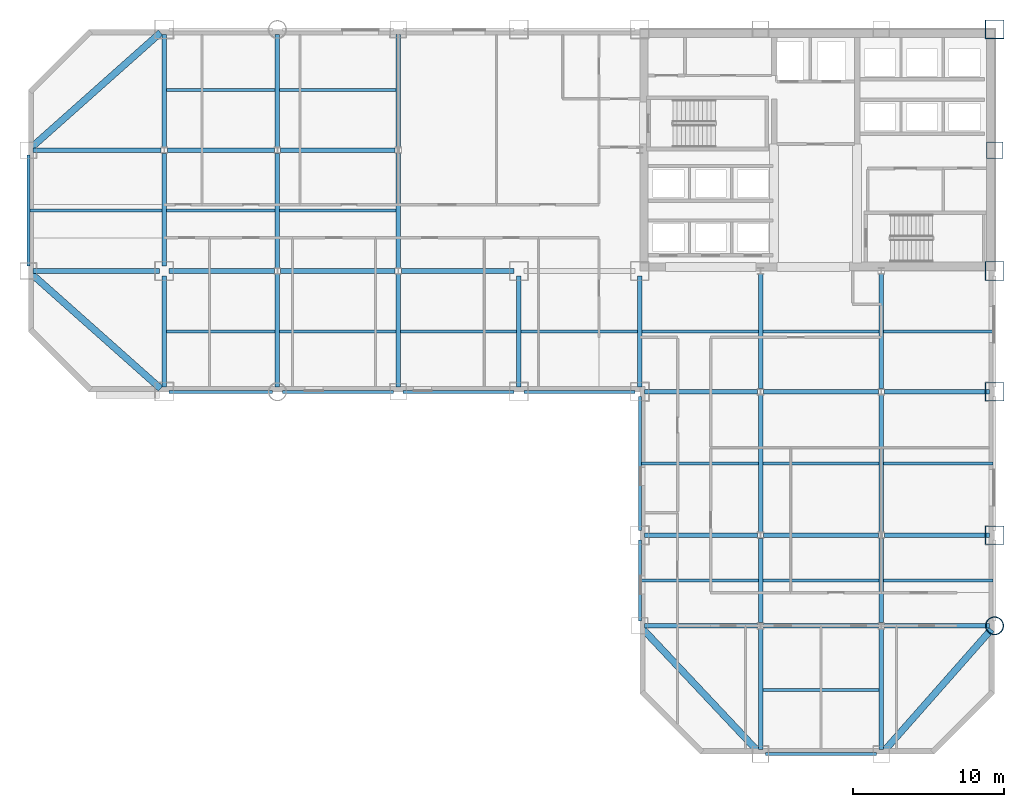
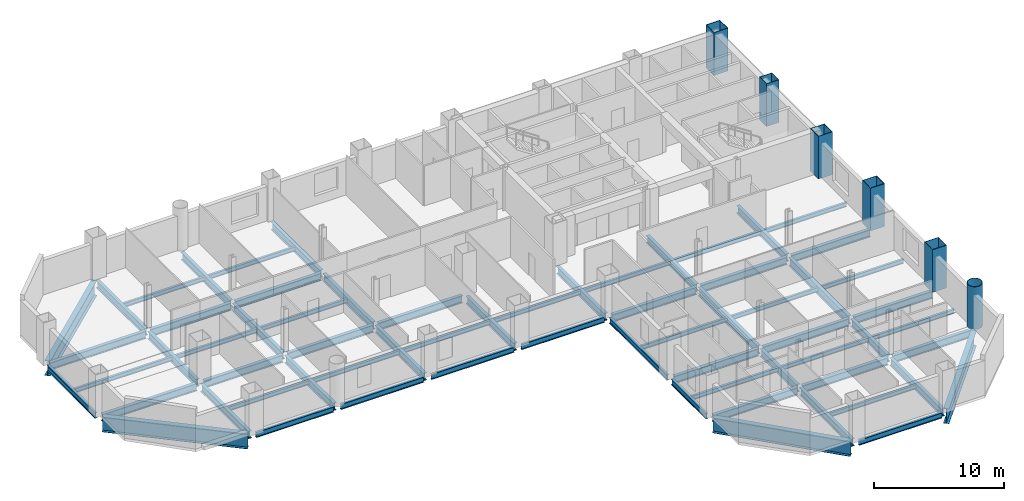
# One storey, part 3 of 9: 66 beams, 6 columns.
"""IFC4 building model written with IfcOpenShell, lengths in metres."""

import ifcopenshell
import ifcopenshell.guid

model = None  # the IFC model being written
_history = None  # IfcOwnerHistory: only IFC2X3 demands one
_inside = {}  # id of a spatial element -> (the spatial element, [elements in it])
_under = {}  # id of a project, library or spatial element -> (it, [spatial elements below it])
_declared = {}  # id of a project -> (the project, [libraries it declares])
_typed = {}  # id of a type object -> (the type object, [elements of that type])
_made_of = {}  # id of a material, layer set ... -> (it, [elements and type objects made of it])


def new_model(schema):
    """Start an empty IFC model of exactly this schema.

    Asked for "IFC4X3", IfcOpenShell would pick the latest addendum, in which some entities
    have other attributes; the version numbers below select the first issue.
    IFC2X3 requires an IfcOwnerHistory on every rooted entity: one is made here for all.
    """
    global model, _history
    if schema == "IFC4X3":
        model = ifcopenshell.file(schema_version=(4, 3, 0, 0))
    else:
        model = ifcopenshell.file(schema=schema)
    _inside.clear()
    _under.clear()
    _declared.clear()
    _typed.clear()
    _made_of.clear()
    _history = None
    if model.schema == "IFC2X3":
        org = make("IfcOrganization", Name="unknown")
        user = make(
            "IfcPersonAndOrganization",
            ThePerson=make("IfcPerson", FamilyName="unknown"),
            TheOrganization=org,
        )
        app = make(
            "IfcApplication",
            ApplicationDeveloper=org,
            Version="unknown",
            ApplicationFullName="unknown",
            ApplicationIdentifier="unknown",
        )
        _history = make(
            "IfcOwnerHistory",
            OwningUser=user,
            OwningApplication=app,
            ChangeAction="ADDED",
            CreationDate=0,
        )
    return model


def make(cls, **values):
    """One entity of the class cls with the attributes given. An attribute that is None is left unset."""
    return model.create_entity(
        cls, **{name: value for name, value in values.items() if value is not None}
    )


def rooted(cls, **values):
    """An entity with a GlobalId (a new one), such as an element, a storey or a relation."""
    return make(cls, GlobalId=ifcopenshell.guid.new(), OwnerHistory=_history, **values)


def si_unit(unit_type, name, prefix=None):
    """IfcSIUnit, for example si_unit("LENGTHUNIT", "METRE", prefix="MILLI")."""
    return make("IfcSIUnit", UnitType=unit_type, Prefix=prefix, Name=name)


def assignment(units):
    """IfcUnitAssignment: the units of a project."""
    return None if units is None else make("IfcUnitAssignment", Units=units)


def point(xyz):
    """IfcCartesianPoint."""
    return None if xyz is None else make("IfcCartesianPoint", Coordinates=xyz)


def direction(xyz):
    """IfcDirection."""
    return None if xyz is None else make("IfcDirection", DirectionRatios=xyz)


def frame(location, z_axis=None, x_axis=None):
    """IfcAxis2Placement3D, a coordinate frame: its origin and axes. An axis left out is left unset."""
    return make(
        "IfcAxis2Placement3D",
        Location=point(location),
        Axis=direction(z_axis),
        RefDirection=direction(x_axis),
    )


def frame_2d(location, x_axis=None):
    """IfcAxis2Placement2D, a coordinate frame in the plane: its origin and x axis."""
    return make(
        "IfcAxis2Placement2D", Location=point(location), RefDirection=direction(x_axis)
    )


def origin():
    """The frame at (0, 0, 0) with its axes left unset."""
    return frame((0.0, 0.0, 0.0))


def origin_2d():
    """The frame at (0, 0) in the plane with its x axis left unset."""
    return frame_2d((0.0, 0.0))


def place(relative_to, where):
    """IfcLocalPlacement: puts the frame where relative to a parent placement (None: the world)."""
    return make(
        "IfcLocalPlacement", PlacementRelTo=relative_to, RelativePlacement=where
    )


def context(
    kind, dimensions, precision=None, world=None, true_north=None, identifier=None
):
    """IfcGeometricRepresentationContext, for example the 3D "Model" context."""
    return make(
        "IfcGeometricRepresentationContext",
        ContextIdentifier=identifier,
        ContextType=kind,
        CoordinateSpaceDimension=dimensions,
        Precision=precision,
        WorldCoordinateSystem=world,
        TrueNorth=true_north,
    )


def subcontext(parent, identifier, kind, view, scale=None):
    """IfcGeometricRepresentationSubContext, for example "Body" below "Model"."""
    return make(
        "IfcGeometricRepresentationSubContext",
        ContextIdentifier=identifier,
        ContextType=kind,
        ParentContext=parent,
        TargetScale=scale,
        TargetView=view,
    )


def project(units=None, contexts=None):
    """IfcProject with its units and contexts."""
    return rooted(
        "IfcProject",
        Name="project",
        RepresentationContexts=contexts,
        UnitsInContext=assignment(units),
    )


def spatial(cls, under=None, at=None, **own):
    """A site, building, storey or space (cls), placed at a placement, below another one or the project."""
    s = rooted(cls, ObjectPlacement=at, **own)
    if under is not None:
        _under.setdefault(under.id(), (under, []))[1].append(s)
    return s


def profile(cls, at=None, kind="AREA", **sizes):
    """A parametric profile (cls). Its sizes go by their IFC names, for example OverallWidth=200.0."""
    return make(cls, ProfileType=kind, Position=at, **sizes)


def hollow_rectangle(**sizes):
    """IfcRectangleHollowProfileDef."""
    return profile("IfcRectangleHollowProfileDef", **sizes)


def hollow_circle(**sizes):
    """IfcCircleHollowProfileDef."""
    return profile("IfcCircleHollowProfileDef", **sizes)


def i_section(**sizes):
    """IfcIShapeProfileDef."""
    return profile("IfcIShapeProfileDef", **sizes)


def extrude(swept, where, along, depth):
    """IfcExtrudedAreaSolid: the profile swept, set in the frame where, extruded along a direction by depth."""
    return make(
        "IfcExtrudedAreaSolid",
        SweptArea=swept,
        Position=where,
        ExtrudedDirection=direction(along),
        Depth=depth,
    )


def shape(context_of_items, identifier, shape_type, items):
    """IfcShapeRepresentation: the items that make up one representation, for example the "Body"."""
    return make(
        "IfcShapeRepresentation",
        ContextOfItems=context_of_items,
        RepresentationIdentifier=identifier,
        RepresentationType=shape_type,
        Items=items,
    )


def material(Name=None, Category=None):
    """IfcMaterial."""
    return make("IfcMaterial", Name=Name, Category=Category)


def material_profile(
    of_material, cross_section, Name=None, Category=None, Priority=None
):
    """IfcMaterialProfile: a cross section and its material."""
    return make(
        "IfcMaterialProfile",
        Name=Name,
        Material=of_material,
        Profile=cross_section,
        Priority=Priority,
        Category=Category,
    )


def profile_set(profiles, Name=None, composite=None):
    """IfcMaterialProfileSet."""
    return make(
        "IfcMaterialProfileSet",
        Name=Name,
        MaterialProfiles=profiles,
        CompositeProfile=composite,
    )


def made_of(thing, what):
    """Note that an element or type object is made of a material, layer set ...; save() writes the relation."""
    if what is not None:
        _made_of.setdefault(what.id(), (what, []))[1].append(thing)
    return thing


def type_object(cls, material=None, **own):
    """A type object (cls), such as IfcWallType, which elements share."""
    return made_of(rooted(cls, **own), material)


def element(
    cls,
    number,
    at=None,
    inside=None,
    cuts=None,
    type_object=None,
    material=None,
    context=None,
    identifier="Body",
    shape_type=None,
    held_by="IfcProductDefinitionShape",
    body=None,
    shapes=None,
    **own,
):
    """One element of the class cls, such as IfcWall. Its Tag is "e" and its number.

    at: its placement. inside: the storey or other place that contains it. cuts: it is an
    opening in that element (IfcRelVoidsElement). A single representation is given by context,
    identifier, shape_type and body (its items); several are given by shapes. held_by: the class
    of the entity that holds the representations. save() writes the other relations.
    """
    e = rooted(cls, Tag="e%d" % number, ObjectPlacement=at, **own)
    if body is not None:
        shapes = [shape(context, identifier, shape_type, body)]
    if shapes is not None:
        e.Representation = make(held_by, Representations=shapes)
    if inside is not None:
        _inside.setdefault(inside.id(), (inside, []))[1].append(e)
    if cuts is not None:
        rooted(
            "IfcRelVoidsElement", RelatingBuildingElement=cuts, RelatedOpeningElement=e
        )
    if type_object is not None:
        _typed.setdefault(type_object.id(), (type_object, []))[1].append(e)
    return made_of(e, material)


def aggregate(whole, parts):
    """IfcRelAggregates: a whole, such as a stair, and the parts it consists of."""
    return rooted("IfcRelAggregates", RelatingObject=whole, RelatedObjects=parts)


def save(model, path):
    """Write the relations noted so far, then the file.

    IfcRelAggregates (storeys below a building ...), IfcRelContainedInSpatialStructure (elements
    in a storey), IfcRelDefinesByType, IfcRelAssociatesMaterial and IfcRelDeclares: one each for
    every whole, place, type object, material and project.
    """
    for whole, parts in _under.values():
        aggregate(whole, parts)
    for where, things in _inside.values():
        rooted(
            "IfcRelContainedInSpatialStructure",
            RelatedElements=things,
            RelatingStructure=where,
        )
    for kind, things in _typed.values():
        rooted("IfcRelDefinesByType", RelatedObjects=things, RelatingType=kind)
    for what, things in _made_of.values():
        rooted("IfcRelAssociatesMaterial", RelatedObjects=things, RelatingMaterial=what)
    for by, libraries in _declared.values():
        rooted("IfcRelDeclares", RelatingContext=by, RelatedDefinitions=libraries)
    model.write(path)


model = new_model("IFC4")

# Units and contexts
model_context = context("Model", 3, precision=1e-05, world=origin(), true_north=direction((0.0, 1.0)))
body_context = subcontext(model_context, "Body", "Model", "MODEL_VIEW")
ifc_project = project(units=[si_unit("LENGTHUNIT", "METRE"), si_unit("AREAUNIT", "SQUARE_METRE"), si_unit("VOLUMEUNIT", "CUBIC_METRE"), si_unit("PLANEANGLEUNIT", "RADIAN"), si_unit("MASSUNIT", "GRAM", prefix="KILO")], contexts=[model_context])

# Site, building, storey
site_placement = place(None, origin())
site = spatial("IfcSite", under=ifc_project, at=site_placement, CompositionType="ELEMENT")
building_placement = place(site_placement, origin())
building = spatial("IfcBuilding", under=site, at=building_placement, Name="Qianrong Seaharbour Tower", CompositionType="ELEMENT")
storey_placement = place(building_placement, frame((0.0, 0.0, 96.199951171875)))
storey = spatial("IfcBuildingStorey", under=building, at=storey_placement, Name="L23", CompositionType="ELEMENT", Elevation=96.199951171875)

# Columns
ifc_material_1 = material(Name="Structural steel SN490B", Category="steel")
ifc_material_profile_1 = material_profile(ifc_material_1, hollow_rectangle(XDim=1.25, YDim=1.25, WallThickness=0.044921875, at=origin_2d()), Name="BOX1250x1250x45")
ifc_profile_set_1 = profile_set([ifc_material_profile_1], Name="Structural steel SN490B")
column_type_1 = type_object("IfcColumnType", Name="COL-CFT-1250", PredefinedType="COLUMN", material=ifc_profile_set_1)
for number, where, z_axis, x_axis, name in (
    (1, (64.0, 18.5, 0.0), (0.0, 0.0, 1.0), (1.0, 0.0, 0.0), "L23 Column MC-2 at G9/GD"),
    (2, (64.0, 28.0, 0.0), (0.0, 0.0, 1.0), (1.0, 0.0, 0.0), "L23 Column MC-2 at G9/GE"),
    (3, (64.0, 36.0, 0.0), (0.0, 0.0, 1.0), (1.0, 0.0, 0.0), "L23 Column MC-2 at G9/GF"),
    (4, (64.0, 52.0, 0.0), (0.0, 0.0, 1.0), (1.0, 0.0, 0.0), "L23 Column MC-2 at G9/GH"),
):
    element("IfcColumn", number, at=place(storey_placement, frame(where, z_axis=z_axis, x_axis=x_axis)), inside=storey, type_object=column_type_1, Name=name, PredefinedType="COLUMN", context=body_context, shape_type="SweptSolid", body=[
        extrude(hollow_rectangle(XDim=1.25, YDim=1.25, WallThickness=0.044921875, at=origin_2d()), origin(), (0.0, 0.0, 1.0), 4.0),
    ])
ifc_material_profile_2 = material_profile(ifc_material_1, hollow_circle(Radius=0.60009765625, WallThickness=0.0400390625, at=origin_2d()), Name="CHS1200x40")
ifc_profile_set_2 = profile_set([ifc_material_profile_2], Name="Structural steel SN490B")
column_type_2 = type_object("IfcColumnType", Name="COL-CHS-1200", PredefinedType="COLUMN", material=ifc_profile_set_2)
column_1_placement = place(storey_placement, frame((64.0, 12.5, 0.0), z_axis=(0.0, 0.0, 1.0), x_axis=(1.0, 0.0, 0.0)))
element("IfcColumn", 5, at=column_1_placement, inside=storey, type_object=column_type_2, Name="L23 Column CC-1 at G9/GC", PredefinedType="COLUMN", context=body_context, shape_type="SweptSolid", body=[
    extrude(hollow_circle(Radius=0.60009765625, WallThickness=0.0400390625, at=origin_2d()), origin(), (0.0, 0.0, 1.0), 4.0),
])
ifc_material_profile_3 = material_profile(ifc_material_1, hollow_rectangle(XDim=1.10009765625, YDim=1.10009765625, WallThickness=0.0400390625, at=origin_2d()), Name="BOX1100x1100x40")
ifc_profile_set_3 = profile_set([ifc_material_profile_3], Name="Structural steel SN490B")
column_type_3 = type_object("IfcColumnType", Name="COL-PER-1100", PredefinedType="COLUMN", material=ifc_profile_set_3)
column_2_placement = place(storey_placement, frame((64.0, 44.0, 0.0), z_axis=(0.0, 0.0, 1.0), x_axis=(1.0, 0.0, 0.0)))
element("IfcColumn", 6, at=column_2_placement, inside=storey, type_object=column_type_3, Name="L23 Column PC-1 at G9/GG", PredefinedType="COLUMN", context=body_context, shape_type="SweptSolid", body=[
    extrude(hollow_rectangle(XDim=1.10009765625, YDim=1.10009765625, WallThickness=0.0400390625, at=origin_2d()), origin(), (0.0, 0.0, 1.0), 4.0),
])

# Beams
ifc_material_profile_4 = material_profile(ifc_material_1, i_section(OverallWidth=0.300048828125, OverallDepth=0.699951171875, WebThickness=0.012939453125, FlangeThickness=0.02392578125, FilletRadius=0.02587890625, at=origin_2d()), Name="H700x300x13x24")
ifc_profile_set_4 = profile_set([ifc_material_profile_4], Name="Structural steel SN490B")
beam_type_1 = type_object("IfcBeamType", Name="BM-G-700", PredefinedType="BEAM", material=ifc_profile_set_4)
beam_1_placement = place(storey_placement, frame((40.820068359375, 12.5, -0.599853515625), z_axis=(1.0, 0.0, 0.0), x_axis=(0.0, 1.0, 0.0)))
element("IfcBeam", 7, at=beam_1_placement, inside=storey, type_object=beam_type_1, Name="L23 Primary Girder GC G6-G7", PredefinedType="BEAM", context=body_context, shape_type="SweptSolid", body=[
    extrude(i_section(OverallWidth=0.300048828125, OverallDepth=0.699951171875, WebThickness=0.012939453125, FlangeThickness=0.02392578125, FilletRadius=0.02587890625, at=origin_2d()), origin(), (0.0, 0.0, 1.0), 7.476318359375),
])
beam_2_placement = place(storey_placement, frame((48.70361328125, 12.5, -0.599853515625), z_axis=(1.0, 0.0, 0.0), x_axis=(0.0, 1.0, 0.0)))
element("IfcBeam", 8, at=beam_2_placement, inside=storey, type_object=beam_type_1, Name="L23 Primary Girder GC G7-G8", PredefinedType="BEAM", context=body_context, shape_type="SweptSolid", body=[
    extrude(i_section(OverallWidth=0.300048828125, OverallDepth=0.699951171875, WebThickness=0.012939453125, FlangeThickness=0.02392578125, FilletRadius=0.02587890625, at=origin_2d()), origin(), (0.0, 0.0, 1.0), 7.5927734375),
])
beam_3_placement = place(storey_placement, frame((56.70361328125, 12.5, -0.599853515625), z_axis=(1.0, 0.0, 0.0), x_axis=(0.0, 1.0, 0.0)))
element("IfcBeam", 9, at=beam_3_placement, inside=storey, type_object=beam_type_1, Name="L23 Primary Girder GC G8-G9", PredefinedType="BEAM", context=body_context, shape_type="SweptSolid", body=[
    extrude(i_section(OverallWidth=0.300048828125, OverallDepth=0.699951171875, WebThickness=0.012939453125, FlangeThickness=0.02392578125, FilletRadius=0.02587890625, at=origin_2d()), origin(), (0.0, 0.0, 1.0), 6.976318359375),
])
beam_4_placement = place(storey_placement, frame((40.820068359375, 18.5, -0.599853515625), z_axis=(1.0, 0.0, 0.0), x_axis=(0.0, 1.0, 0.0)))
element("IfcBeam", 10, at=beam_4_placement, inside=storey, type_object=beam_type_1, Name="L23 Primary Girder GD G6-G7", PredefinedType="BEAM", context=body_context, shape_type="SweptSolid", body=[
    extrude(i_section(OverallWidth=0.300048828125, OverallDepth=0.699951171875, WebThickness=0.012939453125, FlangeThickness=0.02392578125, FilletRadius=0.02587890625, at=origin_2d()), origin(), (0.0, 0.0, 1.0), 7.476318359375),
])
beam_5_placement = place(storey_placement, frame((48.70361328125, 18.5, -0.599853515625), z_axis=(1.0, 0.0, 0.0), x_axis=(0.0, 1.0, 0.0)))
element("IfcBeam", 11, at=beam_5_placement, inside=storey, type_object=beam_type_1, Name="L23 Primary Girder GD G7-G8", PredefinedType="BEAM", context=body_context, shape_type="SweptSolid", body=[
    extrude(i_section(OverallWidth=0.300048828125, OverallDepth=0.699951171875, WebThickness=0.012939453125, FlangeThickness=0.02392578125, FilletRadius=0.02587890625, at=origin_2d()), origin(), (0.0, 0.0, 1.0), 7.5927734375),
])
beam_6_placement = place(storey_placement, frame((56.70361328125, 18.5, -0.599853515625), z_axis=(1.0, 0.0, 0.0), x_axis=(0.0, 1.0, 0.0)))
element("IfcBeam", 12, at=beam_6_placement, inside=storey, type_object=beam_type_1, Name="L23 Primary Girder GD G8-G9", PredefinedType="BEAM", context=body_context, shape_type="SweptSolid", body=[
    extrude(i_section(OverallWidth=0.300048828125, OverallDepth=0.699951171875, WebThickness=0.012939453125, FlangeThickness=0.02392578125, FilletRadius=0.02587890625, at=origin_2d()), origin(), (0.0, 0.0, 1.0), 6.976318359375),
])
beam_7_placement = place(storey_placement, frame((40.820068359375, 28.0, -0.599853515625), z_axis=(1.0, 0.0, 0.0), x_axis=(0.0, 1.0, 0.0)))
element("IfcBeam", 13, at=beam_7_placement, inside=storey, type_object=beam_type_1, Name="L23 Primary Girder GE G6-G7", PredefinedType="BEAM", context=body_context, shape_type="SweptSolid", body=[
    extrude(i_section(OverallWidth=0.300048828125, OverallDepth=0.699951171875, WebThickness=0.012939453125, FlangeThickness=0.02392578125, FilletRadius=0.02587890625, at=origin_2d()), origin(), (0.0, 0.0, 1.0), 7.476318359375),
])
beam_8_placement = place(storey_placement, frame((48.70361328125, 28.0, -0.599853515625), z_axis=(1.0, 0.0, 0.0), x_axis=(0.0, 1.0, 0.0)))
element("IfcBeam", 14, at=beam_8_placement, inside=storey, type_object=beam_type_1, Name="L23 Primary Girder GE G7-G8", PredefinedType="BEAM", context=body_context, shape_type="SweptSolid", body=[
    extrude(i_section(OverallWidth=0.300048828125, OverallDepth=0.699951171875, WebThickness=0.012939453125, FlangeThickness=0.02392578125, FilletRadius=0.02587890625, at=origin_2d()), origin(), (0.0, 0.0, 1.0), 7.5927734375),
])
beam_9_placement = place(storey_placement, frame((56.70361328125, 28.0, -0.599853515625), z_axis=(1.0, 0.0, 0.0), x_axis=(0.0, 1.0, 0.0)))
element("IfcBeam", 15, at=beam_9_placement, inside=storey, type_object=beam_type_1, Name="L23 Primary Girder GE G8-G9", PredefinedType="BEAM", context=body_context, shape_type="SweptSolid", body=[
    extrude(i_section(OverallWidth=0.300048828125, OverallDepth=0.699951171875, WebThickness=0.012939453125, FlangeThickness=0.02392578125, FilletRadius=0.02587890625, at=origin_2d()), origin(), (0.0, 0.0, 1.0), 6.976318359375),
])
beam_10_placement = place(storey_placement, frame((0.320068359375, 36.0, -0.599853515625), z_axis=(1.0, 0.0, 0.0), x_axis=(0.0, 1.0, 0.0)))
element("IfcBeam", 16, at=beam_10_placement, inside=storey, type_object=beam_type_1, Name="L23 Primary Girder GF G1-G2", PredefinedType="BEAM", context=body_context, shape_type="SweptSolid", body=[
    extrude(i_section(OverallWidth=0.300048828125, OverallDepth=0.699951171875, WebThickness=0.012939453125, FlangeThickness=0.02392578125, FilletRadius=0.02587890625, at=origin_2d()), origin(), (0.0, 0.0, 1.0), 8.35986328125),
])
beam_11_placement = place(storey_placement, frame((9.320068359375, 36.0, -0.599853515625), z_axis=(1.0, 0.0, 0.0), x_axis=(0.0, 1.0, 0.0)))
element("IfcBeam", 17, at=beam_11_placement, inside=storey, type_object=beam_type_1, Name="L23 Primary Girder GF G2-G3", PredefinedType="BEAM", context=body_context, shape_type="SweptSolid", body=[
    extrude(i_section(OverallWidth=0.300048828125, OverallDepth=0.699951171875, WebThickness=0.012939453125, FlangeThickness=0.02392578125, FilletRadius=0.02587890625, at=origin_2d()), origin(), (0.0, 0.0, 1.0), 6.976318359375),
])
beam_12_placement = place(storey_placement, frame((16.70361328125, 36.0, -0.599853515625), z_axis=(1.0, 0.0, 0.0), x_axis=(0.0, 1.0, 0.0)))
element("IfcBeam", 18, at=beam_12_placement, inside=storey, type_object=beam_type_1, Name="L23 Primary Girder GF G3-G4", PredefinedType="BEAM", context=body_context, shape_type="SweptSolid", body=[
    extrude(i_section(OverallWidth=0.300048828125, OverallDepth=0.699951171875, WebThickness=0.012939453125, FlangeThickness=0.02392578125, FilletRadius=0.02587890625, at=origin_2d()), origin(), (0.0, 0.0, 1.0), 7.5927734375),
])
beam_13_placement = place(storey_placement, frame((24.70361328125, 36.0, -0.599853515625), z_axis=(1.0, 0.0, 0.0), x_axis=(0.0, 1.0, 0.0)))
element("IfcBeam", 19, at=beam_13_placement, inside=storey, type_object=beam_type_1, Name="L23 Primary Girder GF G4-G5", PredefinedType="BEAM", context=body_context, shape_type="SweptSolid", body=[
    extrude(i_section(OverallWidth=0.300048828125, OverallDepth=0.699951171875, WebThickness=0.012939453125, FlangeThickness=0.02392578125, FilletRadius=0.02587890625, at=origin_2d()), origin(), (0.0, 0.0, 1.0), 7.476318359375),
])
beam_14_placement = place(storey_placement, frame((0.320068359375, 44.0, -0.599853515625), z_axis=(1.0, 0.0, 0.0), x_axis=(0.0, 1.0, 0.0)))
element("IfcBeam", 20, at=beam_14_placement, inside=storey, type_object=beam_type_1, Name="L23 Primary Girder GG G1-G2", PredefinedType="BEAM", context=body_context, shape_type="SweptSolid", body=[
    extrude(i_section(OverallWidth=0.300048828125, OverallDepth=0.699951171875, WebThickness=0.012939453125, FlangeThickness=0.02392578125, FilletRadius=0.02587890625, at=origin_2d()), origin(), (0.0, 0.0, 1.0), 8.476318359375),
])
beam_15_placement = place(storey_placement, frame((9.20361328125, 44.0, -0.599853515625), z_axis=(1.0, 0.0, 0.0), x_axis=(0.0, 1.0, 0.0)))
element("IfcBeam", 21, at=beam_15_placement, inside=storey, type_object=beam_type_1, Name="L23 Primary Girder GG G2-G3", PredefinedType="BEAM", context=body_context, shape_type="SweptSolid", body=[
    extrude(i_section(OverallWidth=0.300048828125, OverallDepth=0.699951171875, WebThickness=0.012939453125, FlangeThickness=0.02392578125, FilletRadius=0.02587890625, at=origin_2d()), origin(), (0.0, 0.0, 1.0), 7.0927734375),
])
beam_16_placement = place(storey_placement, frame((16.70361328125, 44.0, -0.599853515625), z_axis=(1.0, 0.0, 0.0), x_axis=(0.0, 1.0, 0.0)))
element("IfcBeam", 22, at=beam_16_placement, inside=storey, type_object=beam_type_1, Name="L23 Primary Girder GG G3-G4", PredefinedType="BEAM", context=body_context, shape_type="SweptSolid", body=[
    extrude(i_section(OverallWidth=0.300048828125, OverallDepth=0.699951171875, WebThickness=0.012939453125, FlangeThickness=0.02392578125, FilletRadius=0.02587890625, at=origin_2d()), origin(), (0.0, 0.0, 1.0), 7.5927734375),
])
beam_17_placement = place(storey_placement, frame((9.0, 28.320068359375, -0.599853515625), z_axis=(0.0, 1.0, 0.0), x_axis=(-1.0, 0.0, 0.0)))
element("IfcBeam", 23, at=beam_17_placement, inside=storey, type_object=beam_type_1, Name="L23 Primary Girder G2 GE-GF", PredefinedType="BEAM", context=body_context, shape_type="SweptSolid", body=[
    extrude(i_section(OverallWidth=0.300048828125, OverallDepth=0.699951171875, WebThickness=0.012939453125, FlangeThickness=0.02392578125, FilletRadius=0.02587890625, at=origin_2d()), origin(), (0.0, 0.0, 1.0), 7.35986328125),
])
for number, where, z_axis, x_axis, name in (
    (24, (9.0, 36.320068359375, -0.599853515625), (0.0, 1.0, 0.0), (-1.0, 0.0, 0.0), "L23 Primary Girder G2 GF-GG"),
    (25, (9.0, 44.214111328125, -0.599853515625), (0.0, 1.0, 0.0), (-1.0, 0.0, 0.0), "L23 Primary Girder G2 GG-GH"),
    (26, (16.5, 28.320068359375, -0.599853515625), (0.0, 1.0, 0.0), (-1.0, 0.0, 0.0), "L23 Primary Girder G3 GE-GF"),
):
    element("IfcBeam", number, at=place(storey_placement, frame(where, z_axis=z_axis, x_axis=x_axis)), inside=storey, type_object=beam_type_1, Name=name, PredefinedType="BEAM", context=body_context, shape_type="SweptSolid", body=[
        extrude(i_section(OverallWidth=0.300048828125, OverallDepth=0.699951171875, WebThickness=0.012939453125, FlangeThickness=0.02392578125, FilletRadius=0.02587890625, at=origin_2d()), origin(), (0.0, 0.0, 1.0), 7.4658203125),
    ])
beam_18_placement = place(storey_placement, frame((16.5, 36.214111328125, -0.599853515625), z_axis=(0.0, 1.0, 0.0), x_axis=(-1.0, 0.0, 0.0)))
element("IfcBeam", 27, at=beam_18_placement, inside=storey, type_object=beam_type_1, Name="L23 Primary Girder G3 GF-GG", PredefinedType="BEAM", context=body_context, shape_type="SweptSolid", body=[
    extrude(i_section(OverallWidth=0.300048828125, OverallDepth=0.699951171875, WebThickness=0.012939453125, FlangeThickness=0.02392578125, FilletRadius=0.02587890625, at=origin_2d()), origin(), (0.0, 0.0, 1.0), 7.57177734375),
])
for number, where, z_axis, x_axis, name in (
    (28, (16.5, 44.214111328125, -0.599853515625), (0.0, 1.0, 0.0), (-1.0, 0.0, 0.0), "L23 Primary Girder G3 GG-GH"),
    (29, (24.5, 28.320068359375, -0.599853515625), (0.0, 1.0, 0.0), (-1.0, 0.0, 0.0), "L23 Primary Girder G4 GE-GF"),
):
    element("IfcBeam", number, at=place(storey_placement, frame(where, z_axis=z_axis, x_axis=x_axis)), inside=storey, type_object=beam_type_1, Name=name, PredefinedType="BEAM", context=body_context, shape_type="SweptSolid", body=[
        extrude(i_section(OverallWidth=0.300048828125, OverallDepth=0.699951171875, WebThickness=0.012939453125, FlangeThickness=0.02392578125, FilletRadius=0.02587890625, at=origin_2d()), origin(), (0.0, 0.0, 1.0), 7.4658203125),
    ])
beam_19_placement = place(storey_placement, frame((24.5, 36.214111328125, -0.599853515625), z_axis=(0.0, 1.0, 0.0), x_axis=(-1.0, 0.0, 0.0)))
element("IfcBeam", 30, at=beam_19_placement, inside=storey, type_object=beam_type_1, Name="L23 Primary Girder G4 GF-GG", PredefinedType="BEAM", context=body_context, shape_type="SweptSolid", body=[
    extrude(i_section(OverallWidth=0.300048828125, OverallDepth=0.699951171875, WebThickness=0.012939453125, FlangeThickness=0.02392578125, FilletRadius=0.02587890625, at=origin_2d()), origin(), (0.0, 0.0, 1.0), 7.57177734375),
])
beam_20_placement = place(storey_placement, frame((24.5, 44.214111328125, -0.599853515625), z_axis=(0.0, 1.0, 0.0), x_axis=(-1.0, 0.0, 0.0)))
element("IfcBeam", 31, at=beam_20_placement, inside=storey, type_object=beam_type_1, Name="L23 Primary Girder G4 GG-GH", PredefinedType="BEAM", context=body_context, shape_type="SweptSolid", body=[
    extrude(i_section(OverallWidth=0.300048828125, OverallDepth=0.699951171875, WebThickness=0.012939453125, FlangeThickness=0.02392578125, FilletRadius=0.02587890625, at=origin_2d()), origin(), (0.0, 0.0, 1.0), 7.4658203125),
])
for number, where, z_axis, x_axis, name in (
    (32, (32.5, 28.320068359375, -0.599853515625), (0.0, 1.0, 0.0), (-1.0, 0.0, 0.0), "L23 Primary Girder G5 GE-GF"),
    (33, (40.5, 28.320068359375, -0.599853515625), (0.0, 1.0, 0.0), (-1.0, 0.0, 0.0), "L23 Primary Girder G6 GE-GF"),
):
    element("IfcBeam", number, at=place(storey_placement, frame(where, z_axis=z_axis, x_axis=x_axis)), inside=storey, type_object=beam_type_1, Name=name, PredefinedType="BEAM", context=body_context, shape_type="SweptSolid", body=[
        extrude(i_section(OverallWidth=0.300048828125, OverallDepth=0.699951171875, WebThickness=0.012939453125, FlangeThickness=0.02392578125, FilletRadius=0.02587890625, at=origin_2d()), origin(), (0.0, 0.0, 1.0), 7.35986328125),
    ])
beam_21_placement = place(storey_placement, frame((48.5, 4.320068359375, -0.599853515625), z_axis=(0.0, 1.0, 0.0), x_axis=(-1.0, 0.0, 0.0)))
element("IfcBeam", 34, at=beam_21_placement, inside=storey, type_object=beam_type_1, Name="L23 Primary Girder G7 GB-GC", PredefinedType="BEAM", context=body_context, shape_type="SweptSolid", body=[
    extrude(i_section(OverallWidth=0.300048828125, OverallDepth=0.699951171875, WebThickness=0.012939453125, FlangeThickness=0.02392578125, FilletRadius=0.02587890625, at=origin_2d()), origin(), (0.0, 0.0, 1.0), 7.9658203125),
])
beam_22_placement = place(storey_placement, frame((48.5, 12.714111328125, -0.599853515625), z_axis=(0.0, 1.0, 0.0), x_axis=(-1.0, 0.0, 0.0)))
element("IfcBeam", 35, at=beam_22_placement, inside=storey, type_object=beam_type_1, Name="L23 Primary Girder G7 GC-GD", PredefinedType="BEAM", context=body_context, shape_type="SweptSolid", body=[
    extrude(i_section(OverallWidth=0.300048828125, OverallDepth=0.699951171875, WebThickness=0.012939453125, FlangeThickness=0.02392578125, FilletRadius=0.02587890625, at=origin_2d()), origin(), (0.0, 0.0, 1.0), 5.57177734375),
])
beam_23_placement = place(storey_placement, frame((48.5, 28.214111328125, -0.599853515625), z_axis=(0.0, 1.0, 0.0), x_axis=(-1.0, 0.0, 0.0)))
element("IfcBeam", 36, at=beam_23_placement, inside=storey, type_object=beam_type_1, Name="L23 Primary Girder G7 GE-GF", PredefinedType="BEAM", context=body_context, shape_type="SweptSolid", body=[
    extrude(i_section(OverallWidth=0.300048828125, OverallDepth=0.699951171875, WebThickness=0.012939453125, FlangeThickness=0.02392578125, FilletRadius=0.02587890625, at=origin_2d()), origin(), (0.0, 0.0, 1.0), 7.57177734375),
])
beam_24_placement = place(storey_placement, frame((56.5, 4.320068359375, -0.599853515625), z_axis=(0.0, 1.0, 0.0), x_axis=(-1.0, 0.0, 0.0)))
element("IfcBeam", 37, at=beam_24_placement, inside=storey, type_object=beam_type_1, Name="L23 Primary Girder G8 GB-GC", PredefinedType="BEAM", context=body_context, shape_type="SweptSolid", body=[
    extrude(i_section(OverallWidth=0.300048828125, OverallDepth=0.699951171875, WebThickness=0.012939453125, FlangeThickness=0.02392578125, FilletRadius=0.02587890625, at=origin_2d()), origin(), (0.0, 0.0, 1.0), 7.9658203125),
])
beam_25_placement = place(storey_placement, frame((56.5, 12.714111328125, -0.599853515625), z_axis=(0.0, 1.0, 0.0), x_axis=(-1.0, 0.0, 0.0)))
element("IfcBeam", 38, at=beam_25_placement, inside=storey, type_object=beam_type_1, Name="L23 Primary Girder G8 GC-GD", PredefinedType="BEAM", context=body_context, shape_type="SweptSolid", body=[
    extrude(i_section(OverallWidth=0.300048828125, OverallDepth=0.699951171875, WebThickness=0.012939453125, FlangeThickness=0.02392578125, FilletRadius=0.02587890625, at=origin_2d()), origin(), (0.0, 0.0, 1.0), 5.57177734375),
])
beam_26_placement = place(storey_placement, frame((56.5, 28.214111328125, -0.599853515625), z_axis=(0.0, 1.0, 0.0), x_axis=(-1.0, 0.0, 0.0)))
element("IfcBeam", 39, at=beam_26_placement, inside=storey, type_object=beam_type_1, Name="L23 Primary Girder G8 GE-GF", PredefinedType="BEAM", context=body_context, shape_type="SweptSolid", body=[
    extrude(i_section(OverallWidth=0.300048828125, OverallDepth=0.699951171875, WebThickness=0.012939453125, FlangeThickness=0.02392578125, FilletRadius=0.02587890625, at=origin_2d()), origin(), (0.0, 0.0, 1.0), 7.57177734375),
])
ifc_material_profile_5 = material_profile(ifc_material_1, i_section(OverallWidth=0.300048828125, OverallDepth=0.800048828125, WebThickness=0.013916015625, FlangeThickness=0.02587890625, FilletRadius=0.028076171875, at=origin_2d()), Name="H800x300x14x26")
ifc_profile_set_5 = profile_set([ifc_material_profile_5], Name="Structural steel SN490B")
beam_type_2 = type_object("IfcBeamType", Name="BM-G-800", PredefinedType="BEAM", material=ifc_profile_set_5)
for number, where, z_axis, x_axis, name in (
    (40, (48.5, 18.714111328125, -0.64990234375), (0.0, 1.0, 0.0), (-1.0, 0.0, 0.0), "L23 Primary Girder G7 GD-GE"),
    (41, (56.5, 18.714111328125, -0.64990234375), (0.0, 1.0, 0.0), (-1.0, 0.0, 0.0), "L23 Primary Girder G8 GD-GE"),
):
    element("IfcBeam", number, at=place(storey_placement, frame(where, z_axis=z_axis, x_axis=x_axis)), inside=storey, type_object=beam_type_2, Name=name, PredefinedType="BEAM", context=body_context, shape_type="SweptSolid", body=[
        extrude(i_section(OverallWidth=0.300048828125, OverallDepth=0.800048828125, WebThickness=0.013916015625, FlangeThickness=0.02587890625, FilletRadius=0.028076171875, at=origin_2d()), origin(), (0.0, 0.0, 1.0), 9.07177734375),
    ])
ifc_material_2 = material(Name="Structural steel SN400B", Category="steel")
ifc_material_profile_6 = material_profile(ifc_material_2, i_section(OverallWidth=0.199951171875, OverallDepth=0.39990234375, WebThickness=0.008056640625, FlangeThickness=0.012939453125, FilletRadius=0.01611328125, at=origin_2d()), Name="H400x200x8x13")
ifc_profile_set_6 = profile_set([ifc_material_profile_6], Name="Structural steel SN400B")
beam_type_3 = type_object("IfcBeamType", Name="BM-J-400", PredefinedType="JOIST", material=ifc_profile_set_6)
beam_27_placement = place(storey_placement, frame((0.10009765625, 40.0, -0.449951171875), z_axis=(1.0, 0.0, 0.0), x_axis=(0.0, 1.0, 0.0)))
element("IfcBeam", 42, at=beam_27_placement, inside=storey, type_object=beam_type_3, Name="L23 Composite Floor Joist G1-G2/GF-GG", PredefinedType="JOIST", context=body_context, shape_type="SweptSolid", body=[
    extrude(i_section(OverallWidth=0.199951171875, OverallDepth=0.39990234375, WebThickness=0.008056640625, FlangeThickness=0.012939453125, FilletRadius=0.01611328125, at=origin_2d()), origin(), (0.0, 0.0, 1.0), 8.75),
])
for number, where, z_axis, x_axis, name in (
    (43, (9.14990234375, 32.0, -0.449951171875), (1.0, 0.0, 0.0), (0.0, 1.0, 0.0), "L23 Composite Floor Joist G2-G3/GE-GF"),
    (44, (9.14990234375, 40.0, -0.449951171875), (1.0, 0.0, 0.0), (0.0, 1.0, 0.0), "L23 Composite Floor Joist G2-G3/GF-GG"),
    (45, (9.14990234375, 48.0, -0.449951171875), (1.0, 0.0, 0.0), (0.0, 1.0, 0.0), "L23 Composite Floor Joist G2-G3/GG-GH"),
):
    element("IfcBeam", number, at=place(storey_placement, frame(where, z_axis=z_axis, x_axis=x_axis)), inside=storey, type_object=beam_type_3, Name=name, PredefinedType="JOIST", context=body_context, shape_type="SweptSolid", body=[
        extrude(i_section(OverallWidth=0.199951171875, OverallDepth=0.39990234375, WebThickness=0.008056640625, FlangeThickness=0.012939453125, FilletRadius=0.01611328125, at=origin_2d()), origin(), (0.0, 0.0, 1.0), 7.2001953125),
    ])
for number, where, z_axis, x_axis, name in (
    (46, (16.64990234375, 32.0, -0.449951171875), (1.0, 0.0, 0.0), (0.0, 1.0, 0.0), "L23 Composite Floor Joist G3-G4/GE-GF"),
    (47, (16.64990234375, 40.0, -0.449951171875), (1.0, 0.0, 0.0), (0.0, 1.0, 0.0), "L23 Composite Floor Joist G3-G4/GF-GG"),
    (48, (16.64990234375, 48.0, -0.449951171875), (1.0, 0.0, 0.0), (0.0, 1.0, 0.0), "L23 Composite Floor Joist G3-G4/GG-GH"),
    (49, (24.64990234375, 32.0, -0.449951171875), (1.0, 0.0, 0.0), (0.0, 1.0, 0.0), "L23 Composite Floor Joist G4-G5/GE-GF"),
    (50, (32.64990234375, 32.0, -0.449951171875), (1.0, 0.0, 0.0), (0.0, 1.0, 0.0), "L23 Composite Floor Joist G5-G6/GE-GF"),
):
    element("IfcBeam", number, at=place(storey_placement, frame(where, z_axis=z_axis, x_axis=x_axis)), inside=storey, type_object=beam_type_3, Name=name, PredefinedType="JOIST", context=body_context, shape_type="SweptSolid", body=[
        extrude(i_section(OverallWidth=0.199951171875, OverallDepth=0.39990234375, WebThickness=0.008056640625, FlangeThickness=0.012939453125, FilletRadius=0.01611328125, at=origin_2d()), origin(), (0.0, 0.0, 1.0), 7.7001953125),
    ])
for number, where, z_axis, x_axis, name in (
    (51, (40.60009765625, 15.5, -0.449951171875), (1.0, 0.0, 0.0), (0.0, 1.0, 0.0), "L23 Composite Floor Joist G6-G7/GC-GD"),
    (52, (40.60009765625, 23.25, -0.449951171875), (1.0, 0.0, 0.0), (0.0, 1.0, 0.0), "L23 Composite Floor Joist G6-G7/GD-GE"),
):
    element("IfcBeam", number, at=place(storey_placement, frame(where, z_axis=z_axis, x_axis=x_axis)), inside=storey, type_object=beam_type_3, Name=name, PredefinedType="JOIST", context=body_context, shape_type="SweptSolid", body=[
        extrude(i_section(OverallWidth=0.199951171875, OverallDepth=0.39990234375, WebThickness=0.008056640625, FlangeThickness=0.012939453125, FilletRadius=0.01611328125, at=origin_2d()), origin(), (0.0, 0.0, 1.0), 7.75),
    ])
for number, where, z_axis, x_axis, name in (
    (53, (40.64990234375, 32.0, -0.449951171875), (1.0, 0.0, 0.0), (0.0, 1.0, 0.0), "L23 Composite Floor Joist G6-G7/GE-GF"),
    (54, (48.64990234375, 8.25, -0.449951171875), (1.0, 0.0, 0.0), (0.0, 1.0, 0.0), "L23 Composite Floor Joist G7-G8/GB-GC"),
    (55, (48.64990234375, 15.5, -0.449951171875), (1.0, 0.0, 0.0), (0.0, 1.0, 0.0), "L23 Composite Floor Joist G7-G8/GC-GD"),
    (56, (48.64990234375, 23.25, -0.449951171875), (1.0, 0.0, 0.0), (0.0, 1.0, 0.0), "L23 Composite Floor Joist G7-G8/GD-GE"),
    (57, (48.64990234375, 32.0, -0.449951171875), (1.0, 0.0, 0.0), (0.0, 1.0, 0.0), "L23 Composite Floor Joist G7-G8/GE-GF"),
):
    element("IfcBeam", number, at=place(storey_placement, frame(where, z_axis=z_axis, x_axis=x_axis)), inside=storey, type_object=beam_type_3, Name=name, PredefinedType="JOIST", context=body_context, shape_type="SweptSolid", body=[
        extrude(i_section(OverallWidth=0.199951171875, OverallDepth=0.39990234375, WebThickness=0.008056640625, FlangeThickness=0.012939453125, FilletRadius=0.01611328125, at=origin_2d()), origin(), (0.0, 0.0, 1.0), 7.7001953125),
    ])
for number, where, z_axis, x_axis, name in (
    (58, (56.64990234375, 15.5, -0.449951171875), (1.0, 0.0, 0.0), (0.0, 1.0, 0.0), "L23 Composite Floor Joist G8-G9/GC-GD"),
    (59, (56.64990234375, 23.25, -0.449951171875), (1.0, 0.0, 0.0), (0.0, 1.0, 0.0), "L23 Composite Floor Joist G8-G9/GD-GE"),
    (60, (56.64990234375, 32.0, -0.449951171875), (1.0, 0.0, 0.0), (0.0, 1.0, 0.0), "L23 Composite Floor Joist G8-G9/GE-GF"),
):
    element("IfcBeam", number, at=place(storey_placement, frame(where, z_axis=z_axis, x_axis=x_axis)), inside=storey, type_object=beam_type_3, Name=name, PredefinedType="JOIST", context=body_context, shape_type="SweptSolid", body=[
        extrude(i_section(OverallWidth=0.199951171875, OverallDepth=0.39990234375, WebThickness=0.008056640625, FlangeThickness=0.012939453125, FilletRadius=0.01611328125, at=origin_2d()), origin(), (0.0, 0.0, 1.0), 7.25),
    ])
ifc_material_profile_7 = material_profile(ifc_material_1, i_section(OverallWidth=0.199951171875, OverallDepth=0.5, WebThickness=0.010009765625, FlangeThickness=0.01611328125, FilletRadius=0.02001953125, at=origin_2d()), Name="H500x200x10x16")
ifc_profile_set_7 = profile_set([ifc_material_profile_7], Name="Structural steel SN490B")
beam_type_4 = type_object("IfcBeamType", Name="BM-SP-500", PredefinedType="SPANDREL", material=ifc_profile_set_7)
beam_28_placement = place(storey_placement, frame((48.820068359375, 4.0, -0.5), z_axis=(1.0, 0.0, 0.0), x_axis=(0.0, 1.0, 0.0)))
element("IfcBeam", 61, at=beam_28_placement, inside=storey, type_object=beam_type_4, Name="L23 Spandrel Girder GB G7-G8", PredefinedType="SPANDREL", context=body_context, shape_type="SweptSolid", body=[
    extrude(i_section(OverallWidth=0.199951171875, OverallDepth=0.5, WebThickness=0.010009765625, FlangeThickness=0.01611328125, FilletRadius=0.02001953125, at=origin_2d()), origin(), (0.0, 0.0, 1.0), 7.35986328125),
])
beam_29_placement = place(storey_placement, frame((9.320068359375, 28.0, -0.5), z_axis=(1.0, 0.0, 0.0), x_axis=(0.0, 1.0, 0.0)))
element("IfcBeam", 62, at=beam_29_placement, inside=storey, type_object=beam_type_4, Name="L23 Spandrel Girder GE G2-G3", PredefinedType="SPANDREL", context=body_context, shape_type="SweptSolid", body=[
    extrude(i_section(OverallWidth=0.199951171875, OverallDepth=0.5, WebThickness=0.010009765625, FlangeThickness=0.01611328125, FilletRadius=0.02001953125, at=origin_2d()), origin(), (0.0, 0.0, 1.0), 6.85986328125),
])
for number, where, z_axis, x_axis, name in (
    (63, (16.820068359375, 28.0, -0.5), (1.0, 0.0, 0.0), (0.0, 1.0, 0.0), "L23 Spandrel Girder GE G3-G4"),
    (64, (24.820068359375, 28.0, -0.5), (1.0, 0.0, 0.0), (0.0, 1.0, 0.0), "L23 Spandrel Girder GE G4-G5"),
    (65, (32.820068359375, 28.0, -0.5), (1.0, 0.0, 0.0), (0.0, 1.0, 0.0), "L23 Spandrel Girder GE G5-G6"),
    (66, (0.0, 36.320068359375, -0.5), (0.0, 1.0, 0.0), (-1.0, 0.0, 0.0), "L23 Spandrel Girder G1 GF-GG"),
):
    element("IfcBeam", number, at=place(storey_placement, frame(where, z_axis=z_axis, x_axis=x_axis)), inside=storey, type_object=beam_type_4, Name=name, PredefinedType="SPANDREL", context=body_context, shape_type="SweptSolid", body=[
        extrude(i_section(OverallWidth=0.199951171875, OverallDepth=0.5, WebThickness=0.010009765625, FlangeThickness=0.01611328125, FilletRadius=0.02001953125, at=origin_2d()), origin(), (0.0, 0.0, 1.0), 7.35986328125),
    ])
beam_30_placement = place(storey_placement, frame((40.5, 12.820068359375, -0.5), z_axis=(0.0, 1.0, 0.0), x_axis=(-1.0, 0.0, 0.0)))
element("IfcBeam", 67, at=beam_30_placement, inside=storey, type_object=beam_type_4, Name="L23 Spandrel Girder G6 GC-GD", PredefinedType="SPANDREL", context=body_context, shape_type="SweptSolid", body=[
    extrude(i_section(OverallWidth=0.199951171875, OverallDepth=0.5, WebThickness=0.010009765625, FlangeThickness=0.01611328125, FilletRadius=0.02001953125, at=origin_2d()), origin(), (0.0, 0.0, 1.0), 5.35986328125),
])
beam_31_placement = place(storey_placement, frame((40.5, 18.820068359375, -0.5), z_axis=(0.0, 1.0, 0.0), x_axis=(-1.0, 0.0, 0.0)))
element("IfcBeam", 68, at=beam_31_placement, inside=storey, type_object=beam_type_4, Name="L23 Spandrel Girder G6 GD-GE", PredefinedType="SPANDREL", context=body_context, shape_type="SweptSolid", body=[
    extrude(i_section(OverallWidth=0.199951171875, OverallDepth=0.5, WebThickness=0.010009765625, FlangeThickness=0.01611328125, FilletRadius=0.02001953125, at=origin_2d()), origin(), (0.0, 0.0, 1.0), 8.85986328125),
])
ifc_material_profile_8 = material_profile(ifc_material_1, i_section(OverallWidth=0.449951171875, OverallDepth=1.39990234375, WebThickness=0.02197265625, FlangeThickness=0.0400390625, at=origin_2d()), Name="BH1400x450x22x40")
ifc_profile_set_8 = profile_set([ifc_material_profile_8], Name="Structural steel SN490B")
beam_type_5 = type_object("IfcBeamType", Name="BM-TG-1400", PredefinedType="BEAM", material=ifc_profile_set_8)
for number, where, z_axis, x_axis, name in (
    (69, (8.7607421875, 28.212646484375, -0.949951171875), (-0.747406955841, 0.664366497018, 0.0), (-0.664366497018, -0.747406955841, 0.0), "L23 Chamfer Corner Spandrel Girder G1/GE"),
    (70, (8.7607421875, 51.787353515625, -0.949951171875), (-0.747406955841, -0.664366497018, 0.0), (0.664366497018, -0.747406955841, 0.0), "L23 Chamfer Corner Spandrel Girder G1/GH"),
):
    element("IfcBeam", number, at=place(storey_placement, frame(where, z_axis=z_axis, x_axis=x_axis)), inside=storey, type_object=beam_type_5, Name=name, PredefinedType="BEAM", context=body_context, shape_type="SweptSolid", body=[
        extrude(i_section(OverallWidth=0.449951171875, OverallDepth=1.39990234375, WebThickness=0.02197265625, FlangeThickness=0.0400390625, at=origin_2d()), origin(), (0.0, 0.0, 1.0), 11.4013671875),
    ])
beam_32_placement = place(storey_placement, frame((48.28076171875, 4.23291015625, -0.949951171875), z_axis=(-0.685361938021, 0.728202591256, 0.0), x_axis=(-0.728202591256, -0.685361938021, 0.0)))
element("IfcBeam", 71, at=beam_32_placement, inside=storey, type_object=beam_type_5, Name="L23 Chamfer Corner Spandrel Girder G6/GB", PredefinedType="BEAM", context=body_context, shape_type="SweptSolid", body=[
    extrude(i_section(OverallWidth=0.449951171875, OverallDepth=1.39990234375, WebThickness=0.02197265625, FlangeThickness=0.0400390625, at=origin_2d()), origin(), (0.0, 0.0, 1.0), 11.032958984375),
])
beam_33_placement = place(storey_placement, frame((56.711669921875, 4.239990234375, -0.949951171875), z_axis=(0.661630696334, 0.749829861815, 0.0), x_axis=(-0.749829861815, 0.661630696334, 0.0)))
element("IfcBeam", 72, at=beam_33_placement, inside=storey, type_object=beam_type_5, Name="L23 Chamfer Corner Spandrel Girder G9/GB", PredefinedType="BEAM", context=body_context, shape_type="SweptSolid", body=[
    extrude(i_section(OverallWidth=0.449951171875, OverallDepth=1.39990234375, WebThickness=0.02197265625, FlangeThickness=0.0400390625, at=origin_2d()), origin(), (0.0, 0.0, 1.0), 10.69580078125),
])

save(model, "model.ifc")
